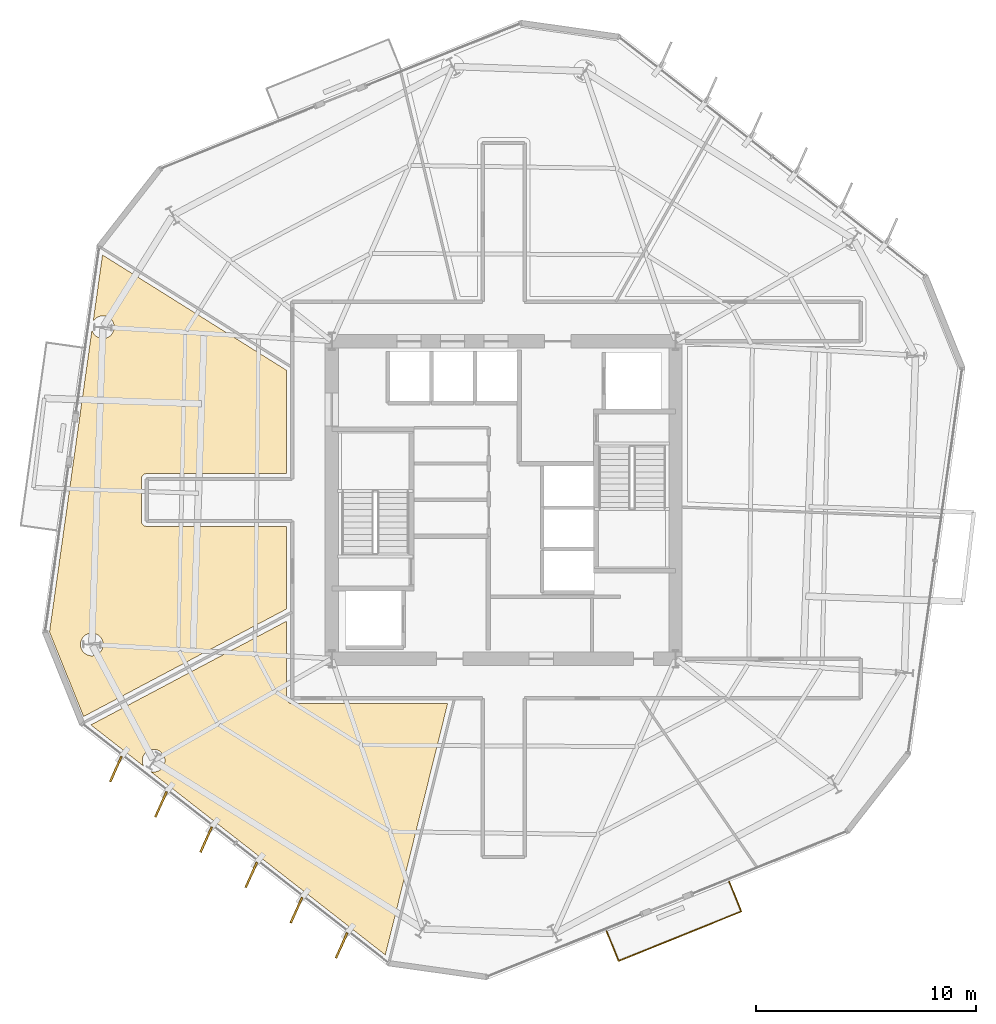
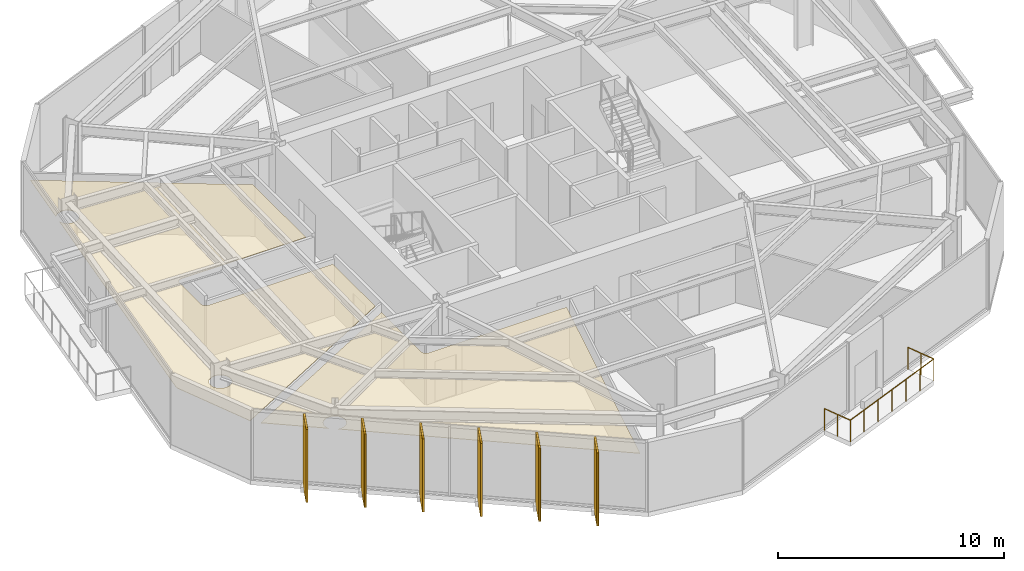
# One storey, part 10 of 12: 8 coverings, 6 shading devices, 1 railing.
"""IFC4 building model written with IfcOpenShell, lengths in metres."""

from ifc_helpers import new_model, si_unit, direction, frame, origin, origin_2d, place, context, subcontext, project, spatial, polyline, rectangle, circle, outline, extrude, material, layer, layer_set, type_object, element, save


model = new_model("IFC4")

# Units and contexts
model_context = context("Model", 3, precision=1e-05, world=origin(), true_north=direction((0.0, 1.0)))
body_context = subcontext(model_context, "Body", "Model", "MODEL_VIEW")
ifc_project = project(units=[si_unit("LENGTHUNIT", "METRE"), si_unit("AREAUNIT", "SQUARE_METRE"), si_unit("VOLUMEUNIT", "CUBIC_METRE"), si_unit("PLANEANGLEUNIT", "RADIAN"), si_unit("MASSUNIT", "GRAM", prefix="KILO")], contexts=[model_context])

# Site, building, storey
site_placement = place(None, origin())
site = spatial("IfcSite", under=ifc_project, at=site_placement, CompositionType="ELEMENT")
building_placement = place(site_placement, origin())
building = spatial("IfcBuilding", under=site, at=building_placement, Name="Kranzbogen Civic Tower", CompositionType="ELEMENT")
storey_placement = place(building_placement, frame((0.0, 0.0, 110.39990234375)))
storey = spatial("IfcBuildingStorey", under=building, at=storey_placement, Name="L26", CompositionType="ELEMENT", Elevation=110.39990234375)

# Coverings
ifc_material_1 = material(Name="Pale Anodised Aluminium", Category="aluminium")
ifc_layer_1 = layer(ifc_material_1, 0.02490234375, Name="Pale Anodised Aluminium")
ifc_layer_set_1 = layer_set([ifc_layer_1], Name="Pale Anodised Aluminium")
covering_type_1 = type_object("IfcCoveringType", Name="Anodised Aluminium Vertical Fin Cladding 25 mm", PredefinedType="CLADDING", material=ifc_layer_set_1)
for number, where, z_axis, x_axis, name in (
    (1, (7.40087890625, 12.7900390625, -0.139892578125), (0.0, 0.0, 1.0), (-0.409795673853, -0.912177343334, 0.0), "L26 vertical fin pale-metal cladding F4-1"),
    (2, (9.449951171875, 11.18896484375, -0.139892578125), (0.0, 0.0, 1.0), (-0.409795673853, -0.912177343334, 0.0), "L26 vertical fin pale-metal cladding F4-2"),
    (3, (11.4990234375, 9.589111328125, -0.139892578125), (0.0, 0.0, 1.0), (-0.409795673853, -0.912177343334, 0.0), "L26 vertical fin pale-metal cladding F4-3"),
    (4, (13.548095703125, 7.988037109375, -0.139892578125), (0.0, 0.0, 1.0), (-0.409795673853, -0.912177343334, 0.0), "L26 vertical fin pale-metal cladding F4-4"),
    (5, (15.595947265625, 6.386962890625, -0.139892578125), (0.0, 0.0, 1.0), (-0.409795673853, -0.912177343334, 0.0), "L26 vertical fin pale-metal cladding F4-5"),
    (6, (17.64501953125, 4.787109375, -0.139892578125), (0.0, 0.0, 1.0), (-0.409795673853, -0.912177343334, 0.0), "L26 vertical fin pale-metal cladding F4-6"),
):
    element("IfcCovering", number, at=place(storey_placement, frame(where, z_axis=z_axis, x_axis=x_axis)), inside=storey, type_object=covering_type_1, Name=name, PredefinedType="CLADDING", context=body_context, shape_type="SweptSolid", body=[
        extrude(rectangle(XDim=1.25, YDim=0.10009765625, at=origin_2d()), origin(), (0.0, 0.0, 1.0), 3.9599609375),
    ])

# Shading devices
ifc_material_2 = material(Name="Anodised Bronze Aluminium", Category="aluminium")
shading_device_type = type_object("IfcShadingDeviceType", Name="Anodised Bronze Vertical Facade Fin 1250x80", PredefinedType="USERDEFINED", material=ifc_material_2)
for number, where, z_axis, x_axis, name in (
    (7, (7.40087890625, 12.7900390625, -0.139892578125), (0.0, 0.0, 1.0), (-0.409795673853, -0.912177343334, 0.0), "L26 vertical exterior shading fin F4-1"),
    (8, (9.449951171875, 11.18896484375, -0.139892578125), (0.0, 0.0, 1.0), (-0.409795673853, -0.912177343334, 0.0), "L26 vertical exterior shading fin F4-2"),
    (9, (11.4990234375, 9.589111328125, -0.139892578125), (0.0, 0.0, 1.0), (-0.409795673853, -0.912177343334, 0.0), "L26 vertical exterior shading fin F4-3"),
    (10, (13.548095703125, 7.988037109375, -0.139892578125), (0.0, 0.0, 1.0), (-0.409795673853, -0.912177343334, 0.0), "L26 vertical exterior shading fin F4-4"),
    (11, (15.595947265625, 6.386962890625, -0.139892578125), (0.0, 0.0, 1.0), (-0.409795673853, -0.912177343334, 0.0), "L26 vertical exterior shading fin F4-5"),
    (12, (17.64501953125, 4.787109375, -0.139892578125), (0.0, 0.0, 1.0), (-0.409795673853, -0.912177343334, 0.0), "L26 vertical exterior shading fin F4-6"),
):
    element("IfcShadingDevice", number, at=place(storey_placement, frame(where, z_axis=z_axis, x_axis=x_axis)), inside=storey, type_object=shading_device_type, Name=name, ObjectType="FIN", PredefinedType="USERDEFINED", context=body_context, shape_type="SweptSolid", body=[
        extrude(rectangle(XDim=1.25, YDim=0.080078125, at=origin_2d()), origin(), (0.0, 0.0, 1.0), 3.9599609375),
    ])

# Railing
railing_type = type_object("IfcRailingType", Name="Cantilevered Balcony Glass and Bronze Balustrade 1200", PredefinedType="BALUSTRADE", material=ifc_material_2)
railing_placement = place(storey_placement, frame((29.673095703125, 5.425048828125, 0.0)))
element("IfcRailing", 13, at=railing_placement, inside=storey, type_object=railing_type, Name="L26 exterior terrace balustrade L26-TB2", PredefinedType="BALUSTRADE", context=body_context, shape_type="SweptSolid", body=[
    extrude(circle(Radius=0.02392578125, at=origin_2d()), frame((0.0, 0.0, 1.17578125), z_axis=(0.374582793354, -0.927193470061, 0.0), x_axis=(0.927193470061, 0.374582793354, 0.0)), (0.0, 0.0, 1.0), 1.449462890625),
    extrude(circle(Radius=0.02392578125, at=origin_2d()), frame((0.54296875, -1.343994140625, 1.17578125), z_axis=(0.927157587725, 0.374671599569, 0.0), x_axis=(-0.374671599569, 0.927157587725, 0.0)), (0.0, 0.0, 1.0), 6.0),
    extrude(circle(Radius=0.02392578125, at=origin_2d()), frame((6.10595703125, 0.904052734375, 1.17578125), z_axis=(-0.374582793354, 0.927193470061, 0.0), x_axis=(-0.927193470061, -0.374582793354, 0.0)), (0.0, 0.0, 1.0), 1.449462890625),
    extrude(circle(Radius=0.02099609375, at=origin_2d()), origin(), (0.0, 0.0, 1.0), 1.15185546875),
    extrude(circle(Radius=0.02099609375, at=origin_2d()), frame((0.271484375, -0.671875, 0.0)), (0.0, 0.0, 1.0), 1.15185546875),
    extrude(circle(Radius=0.02099609375, at=origin_2d()), frame((0.54296875, -1.343994140625, 0.0)), (0.0, 0.0, 1.0), 1.15185546875),
    extrude(circle(Radius=0.02099609375, at=origin_2d()), frame((1.47021484375, -0.96923828125, 0.0)), (0.0, 0.0, 1.0), 1.15185546875),
    extrude(circle(Radius=0.02099609375, at=origin_2d()), frame((2.397216796875, -0.5947265625, 0.0)), (0.0, 0.0, 1.0), 1.15185546875),
    extrude(circle(Radius=0.02099609375, at=origin_2d()), frame((3.324462890625, -0.219970703125, 0.0)), (0.0, 0.0, 1.0), 1.15185546875),
    extrude(circle(Radius=0.02099609375, at=origin_2d()), frame((4.251708984375, 0.15478515625, 0.0)), (0.0, 0.0, 1.0), 1.15185546875),
    extrude(circle(Radius=0.02099609375, at=origin_2d()), frame((5.1787109375, 0.529296875, 0.0)), (0.0, 0.0, 1.0), 1.15185546875),
    extrude(circle(Radius=0.02099609375, at=origin_2d()), frame((6.10595703125, 0.904052734375, 0.0)), (0.0, 0.0, 1.0), 1.15185546875),
    extrude(circle(Radius=0.02099609375, at=origin_2d()), frame((5.83447265625, 1.576171875, 0.0)), (0.0, 0.0, 1.0), 1.15185546875),
    extrude(circle(Radius=0.02099609375, at=origin_2d()), frame((5.56298828125, 2.248046875, 0.0)), (0.0, 0.0, 1.0), 1.15185546875),
])

# Coverings
ifc_material_3 = material(Name="Perforated Acoustic Gypsum Ceiling")
ifc_layer_2 = layer(ifc_material_3, 0.02490234375, Name="Perforated Acoustic Gypsum Ceiling")
ifc_layer_set_2 = layer_set([ifc_layer_2], Name="Perforated Acoustic Gypsum Ceiling")
covering_type_2 = type_object("IfcCoveringType", Name="Perforated Acoustic Mineral Ceiling Tile 25 mm", PredefinedType="CEILING", material=ifc_layer_set_2)
covering_1_placement = place(storey_placement, frame((0.0, 0.0, 2.900146484375)))
element("IfcCovering", 14, at=covering_1_placement, inside=storey, type_object=covering_type_2, Name="L26 Executive Briefing Conference Room acoustic ceiling", PredefinedType="CEILING", context=body_context, shape_type="SweptSolid", body=[
    extrude(outline(polyline([(15.155029296875, 19.5048828125), (15.155029296875, 16.0), (15.155029296875, 15.990966796875), (15.156005859375, 15.985107421875), (15.156982421875, 15.967041015625), (15.157958984375, 15.9609375), (15.162109375, 15.944091796875), (15.1630859375, 15.93701171875), (15.16796875, 15.919921875), (15.169921875, 15.9140625), (15.177001953125, 15.89794921875), (15.179931640625, 15.89208984375), (15.18798828125, 15.876953125), (15.19189453125, 15.87109375), (15.200927734375, 15.85693359375), (15.205078125, 15.85205078125), (15.216064453125, 15.837890625), (15.220947265625, 15.8330078125), (15.23291015625, 15.821044921875), (15.238037109375, 15.81591796875), (15.251953125, 15.804931640625), (15.257080078125, 15.801025390625), (15.27099609375, 15.7919921875), (15.277099609375, 15.7880859375), (15.2919921875, 15.780029296875), (15.298095703125, 15.777099609375), (15.31396484375, 15.77001953125), (15.320068359375, 15.76806640625), (15.3369140625, 15.762939453125), (15.343994140625, 15.761962890625), (15.361083984375, 15.758056640625), (15.366943359375, 15.757080078125), (15.385009765625, 15.756103515625), (15.39111328125, 15.7548828125), (15.39990234375, 15.7548828125), (22.455078125, 15.7548828125), (19.62890625, 4.35595703125), (8.98095703125, 12.675048828125), (9.013916015625, 12.6669921875), (9.06396484375, 12.658935546875), (9.114013671875, 12.656982421875), (9.1640625, 12.658935546875), (9.214111328125, 12.6669921875), (9.262939453125, 12.678955078125), (9.31103515625, 12.696044921875), (9.35595703125, 12.717041015625), (9.39990234375, 12.742919921875), (9.43994140625, 12.77294921875), (9.47802734375, 12.806884765625), (9.511962890625, 12.844970703125), (9.5419921875, 12.885009765625), (9.568115234375, 12.928955078125), (9.589111328125, 12.97412109375), (9.60595703125, 13.02197265625), (9.617919921875, 13.071044921875), (9.6259765625, 13.12109375), (9.6279296875, 13.1708984375), (9.6259765625, 13.220947265625), (9.617919921875, 13.27099609375), (9.60595703125, 13.320068359375), (9.589111328125, 13.367919921875), (9.568115234375, 13.4130859375), (9.5419921875, 13.45703125), (9.511962890625, 13.4970703125), (9.47802734375, 13.534912109375), (9.43994140625, 13.569091796875), (9.39990234375, 13.59912109375), (9.35595703125, 13.625), (9.31103515625, 13.64599609375), (9.262939453125, 13.6630859375), (9.214111328125, 13.675048828125), (9.1640625, 13.68310546875), (9.114013671875, 13.68505859375), (9.06396484375, 13.68310546875), (9.013916015625, 13.675048828125), (8.965087890625, 13.6630859375), (8.9169921875, 13.64599609375), (8.8720703125, 13.625), (8.827880859375, 13.59912109375), (8.7880859375, 13.569091796875), (8.75, 13.534912109375), (8.716064453125, 13.4970703125), (8.68603515625, 13.45703125), (8.659912109375, 13.4130859375), (8.638916015625, 13.367919921875), (8.6220703125, 13.320068359375), (8.610107421875, 13.27099609375), (8.60205078125, 13.220947265625), (8.60009765625, 13.1708984375), (8.60205078125, 13.12109375), (8.610107421875, 13.071044921875), (8.6220703125, 13.02197265625), (8.638916015625, 12.97412109375), (8.659912109375, 12.928955078125), (8.6640625, 12.922119140625), (6.26806640625, 14.7939453125), (15.155029296875, 19.5048828125)])), origin(), (0.0, 0.0, 1.0), 0.02490234375),
])
covering_2_placement = place(storey_placement, frame((0.0, 0.0, 2.900146484375)))
element("IfcCovering", 15, at=covering_2_placement, inside=storey, type_object=covering_type_2, Name="L26 Public Delegation Reception acoustic ceiling", PredefinedType="CEILING", context=body_context, shape_type="SweptSolid", body=[
    extrude(outline(polyline([(6.31591796875, 32.7119140625), (6.321044921875, 32.695068359375), (6.337890625, 32.64697265625), (6.35888671875, 32.60205078125), (6.385009765625, 32.55810546875), (6.4150390625, 32.51806640625), (6.448974609375, 32.47998046875), (6.487060546875, 32.446044921875), (6.527099609375, 32.416015625), (6.571044921875, 32.389892578125), (6.615966796875, 32.368896484375), (6.6640625, 32.35205078125), (6.712890625, 32.340087890625), (6.762939453125, 32.33203125), (6.81298828125, 32.330078125), (6.863037109375, 32.33203125), (6.9130859375, 32.340087890625), (6.9619140625, 32.35205078125), (7.010009765625, 32.368896484375), (7.054931640625, 32.389892578125), (7.09912109375, 32.416015625), (7.138916015625, 32.446044921875), (7.177001953125, 32.47998046875), (7.2109375, 32.51806640625), (7.240966796875, 32.55810546875), (7.26708984375, 32.60205078125), (7.2880859375, 32.64697265625), (7.304931640625, 32.695068359375), (7.31689453125, 32.743896484375), (7.324951171875, 32.7939453125), (7.326904296875, 32.843994140625), (7.324951171875, 32.89404296875), (7.31689453125, 32.944091796875), (7.304931640625, 32.992919921875), (7.2880859375, 33.041015625), (7.26708984375, 33.0859375), (7.240966796875, 33.1298828125), (7.2109375, 33.169921875), (7.177001953125, 33.2080078125), (7.138916015625, 33.241943359375), (7.09912109375, 33.27197265625), (7.054931640625, 33.298095703125), (7.010009765625, 33.319091796875), (6.9619140625, 33.3359375), (6.9130859375, 33.347900390625), (6.863037109375, 33.35595703125), (6.81298828125, 33.35791015625), (6.762939453125, 33.35595703125), (6.712890625, 33.347900390625), (6.6640625, 33.3359375), (6.615966796875, 33.319091796875), (6.571044921875, 33.298095703125), (6.527099609375, 33.27197265625), (6.487060546875, 33.241943359375), (6.448974609375, 33.2080078125), (6.4150390625, 33.169921875), (6.385009765625, 33.1298828125), (6.3720703125, 33.10693359375), (6.794921875, 36.118896484375), (15.155029296875, 30.8798828125), (15.155029296875, 26.195068359375), (8.800048828125, 26.195068359375), (8.791015625, 26.195068359375), (8.784912109375, 26.194091796875), (8.76708984375, 26.193115234375), (8.760986328125, 26.19189453125), (8.743896484375, 26.18798828125), (8.737060546875, 26.18701171875), (8.719970703125, 26.181884765625), (8.714111328125, 26.179931640625), (8.697998046875, 26.173095703125), (8.69189453125, 26.169921875), (8.677001953125, 26.162109375), (8.6708984375, 26.157958984375), (8.656982421875, 26.14892578125), (8.652099609375, 26.14501953125), (8.637939453125, 26.134033203125), (8.633056640625, 26.12890625), (8.62109375, 26.116943359375), (8.615966796875, 26.112060546875), (8.60498046875, 26.097900390625), (8.60107421875, 26.093017578125), (8.592041015625, 26.0791015625), (8.587890625, 26.072998046875), (8.580078125, 26.05810546875), (8.576904296875, 26.052001953125), (8.570068359375, 26.035888671875), (8.568115234375, 26.030029296875), (8.56298828125, 26.012939453125), (8.56201171875, 26.006103515625), (8.55810546875, 25.989013671875), (8.556884765625, 25.98291015625), (8.555908203125, 25.965087890625), (8.554931640625, 25.958984375), (8.554931640625, 25.949951171875), (8.554931640625, 24.050048828125), (8.554931640625, 24.041015625), (8.555908203125, 24.034912109375), (8.556884765625, 24.01708984375), (8.55810546875, 24.010986328125), (8.56201171875, 23.993896484375), (8.56298828125, 23.987060546875), (8.568115234375, 23.969970703125), (8.570068359375, 23.964111328125), (8.576904296875, 23.947998046875), (8.580078125, 23.94189453125), (8.587890625, 23.927001953125), (8.592041015625, 23.9208984375), (8.60107421875, 23.906982421875), (8.60498046875, 23.902099609375), (8.615966796875, 23.887939453125), (8.62109375, 23.883056640625), (8.633056640625, 23.87109375), (8.637939453125, 23.865966796875), (8.652099609375, 23.85498046875), (8.656982421875, 23.85107421875), (8.6708984375, 23.842041015625), (8.677001953125, 23.837890625), (8.69189453125, 23.830078125), (8.697998046875, 23.826904296875), (8.714111328125, 23.820068359375), (8.719970703125, 23.818115234375), (8.737060546875, 23.81298828125), (8.743896484375, 23.81201171875), (8.760986328125, 23.80810546875), (8.76708984375, 23.806884765625), (8.784912109375, 23.805908203125), (8.791015625, 23.804931640625), (8.800048828125, 23.804931640625), (15.155029296875, 23.804931640625), (15.155029296875, 20.05908203125), (5.93798828125, 15.174072265625), (4.389892578125, 19.006103515625), (6.31591796875, 32.7119140625)]), holes=[polyline([(6.784912109375, 18.2470703125), (6.763916015625, 18.201904296875), (6.738037109375, 18.157958984375), (6.7080078125, 18.117919921875), (6.674072265625, 18.080078125), (6.635986328125, 18.0458984375), (6.595947265625, 18.01611328125), (6.552001953125, 17.989990234375), (6.507080078125, 17.968994140625), (6.458984375, 17.951904296875), (6.409912109375, 17.93994140625), (6.360107421875, 17.931884765625), (6.31005859375, 17.929931640625), (6.260009765625, 17.931884765625), (6.2099609375, 17.93994140625), (6.160888671875, 17.951904296875), (6.113037109375, 17.968994140625), (6.068115234375, 17.989990234375), (6.02392578125, 18.01611328125), (5.98388671875, 18.0458984375), (5.946044921875, 18.080078125), (5.912109375, 18.117919921875), (5.882080078125, 18.157958984375), (5.85595703125, 18.201904296875), (5.8349609375, 18.2470703125), (5.818115234375, 18.294921875), (5.805908203125, 18.343994140625), (5.798095703125, 18.39404296875), (5.7958984375, 18.444091796875), (5.798095703125, 18.493896484375), (5.805908203125, 18.5439453125), (5.818115234375, 18.593017578125), (5.8349609375, 18.64111328125), (5.85595703125, 18.68603515625), (5.882080078125, 18.72998046875), (5.912109375, 18.77001953125), (5.946044921875, 18.80810546875), (5.98388671875, 18.842041015625), (6.02392578125, 18.8720703125), (6.068115234375, 18.89794921875), (6.113037109375, 18.9189453125), (6.160888671875, 18.93603515625), (6.2099609375, 18.947998046875), (6.260009765625, 18.9560546875), (6.31005859375, 18.9580078125), (6.360107421875, 18.9560546875), (6.409912109375, 18.947998046875), (6.458984375, 18.93603515625), (6.507080078125, 18.9189453125), (6.552001953125, 18.89794921875), (6.595947265625, 18.8720703125), (6.635986328125, 18.842041015625), (6.674072265625, 18.80810546875), (6.7080078125, 18.77001953125), (6.738037109375, 18.72998046875), (6.763916015625, 18.68603515625), (6.784912109375, 18.64111328125), (6.802001953125, 18.593017578125), (6.81396484375, 18.5439453125), (6.822021484375, 18.493896484375), (6.823974609375, 18.444091796875), (6.822021484375, 18.39404296875), (6.81396484375, 18.343994140625), (6.802001953125, 18.294921875), (6.784912109375, 18.2470703125)])]), origin(), (0.0, 0.0, 1.0), 0.02490234375),
])

save(model, "model.ifc")
